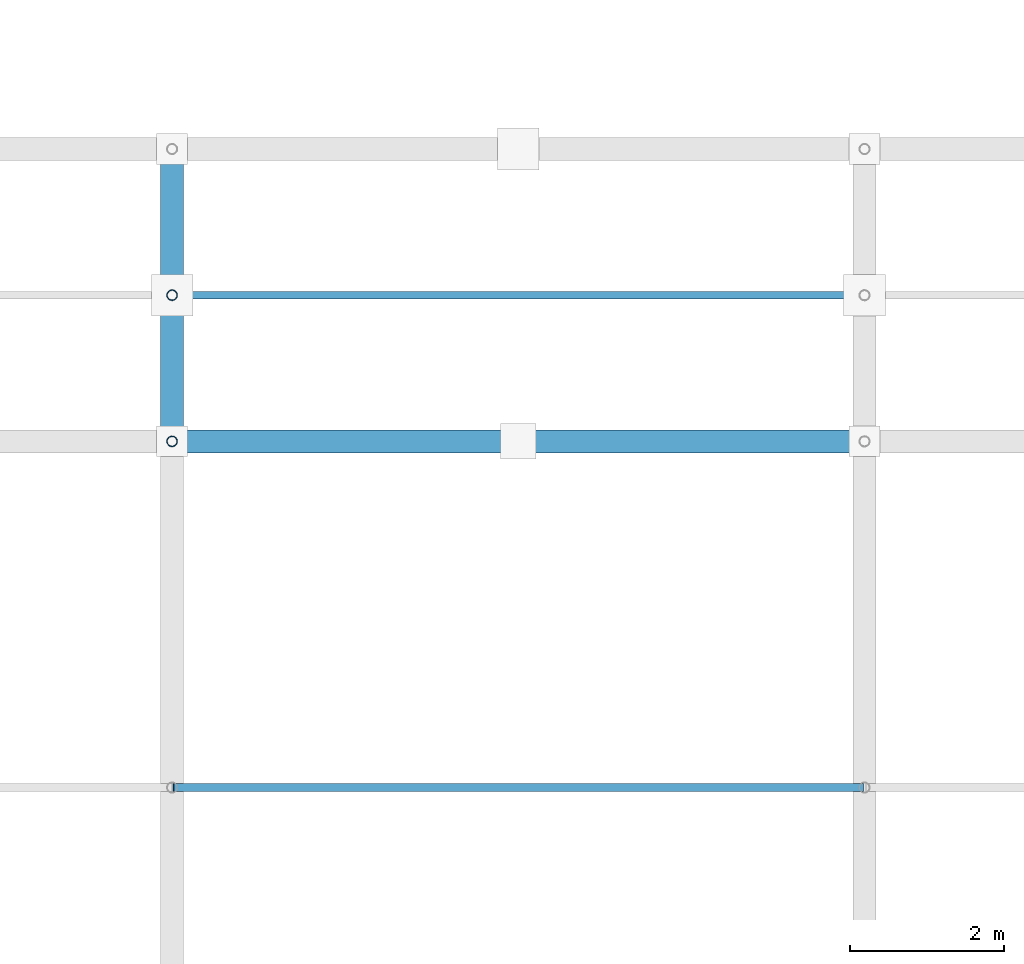
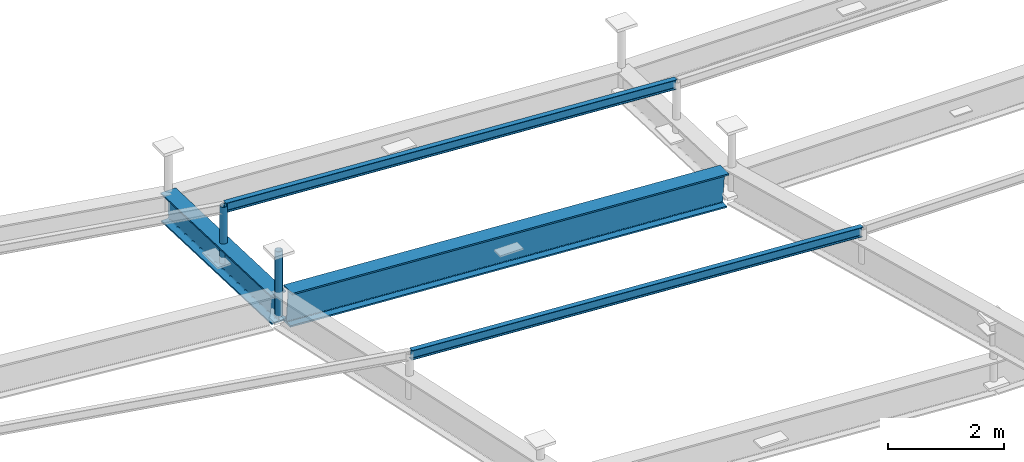
# One storey, part 37 of 80: 4 members, 2 beams.
"""IFC4 building model written with IfcOpenShell, lengths in metres."""

from ifc_helpers import new_model, si_unit, direction, frame, origin, origin_2d, place, context, subcontext, project, spatial, hollow_circle, i_section, extrude, material, material_profile, profile_set, type_object, element, save


model = new_model("IFC4")

# Units and contexts
model_context = context("Model", 3, precision=1e-05, world=origin(), true_north=direction((0.0, 1.0)))
body_context = subcontext(model_context, "Body", "Model", "MODEL_VIEW")
ifc_project = project(units=[si_unit("LENGTHUNIT", "METRE"), si_unit("AREAUNIT", "SQUARE_METRE"), si_unit("VOLUMEUNIT", "CUBIC_METRE"), si_unit("PLANEANGLEUNIT", "RADIAN"), si_unit("MASSUNIT", "GRAM", prefix="KILO")], contexts=[model_context])

# Site, building, storey
site_placement = place(None, origin())
site = spatial("IfcSite", under=ifc_project, at=site_placement, CompositionType="ELEMENT")
building_placement = place(site_placement, origin())
building = spatial("IfcBuilding", under=site, at=building_placement, Name="Barlavento Convention Centre", CompositionType="ELEMENT")
storey_placement = place(building_placement, frame((0.0, 0.0, 29.800048828125)))
storey = spatial("IfcBuildingStorey", under=building, at=storey_placement, Name="RF", CompositionType="ELEMENT", Elevation=29.800048828125)

# Beams
ifc_material_1 = material(Name="Steel S355", Category="steel")
ifc_material_profile_1 = material_profile(ifc_material_1, i_section(OverallWidth=0.300048828125, OverallDepth=0.60009765625, WebThickness=0.015380859375, FlangeThickness=0.030029296875, FilletRadius=0.027099609375, at=origin_2d()), Name="HEB 600")
ifc_profile_set_1 = profile_set([ifc_material_profile_1], Name="Steel S355")
beam_type_1 = type_object("IfcBeamType", Name="STR-BM-CANT-HEB600", PredefinedType="BEAM", material=ifc_profile_set_1)
beam_1_placement = place(storey_placement, frame((18.0, 54.0048828125, -6.3173828125), z_axis=(0.0, 0.999328957614, -0.036628328838), x_axis=(-1.0, 0.0, 0.0)))
element("IfcBeam", 1, at=beam_1_placement, inside=storey, type_object=beam_type_1, Name="Congress roof truss space frame chord", PredefinedType="BEAM", context=body_context, shape_type="SweptSolid", body=[
    extrude(i_section(OverallWidth=0.300048828125, OverallDepth=0.60009765625, WebThickness=0.015380859375, FlangeThickness=0.030029296875, FilletRadius=0.027099609375, at=origin_2d()), origin(), (0.0, 0.0, 1.0), 3.79248046875),
])
ifc_material_2 = material(Name="Steel S460", Category="steel")
ifc_material_profile_2 = material_profile(ifc_material_2, i_section(OverallWidth=0.300048828125, OverallDepth=0.699951171875, WebThickness=0.01708984375, FlangeThickness=0.031982421875, FilletRadius=0.027099609375, at=origin_2d()), Name="HEB 700")
ifc_profile_set_2 = profile_set([ifc_material_profile_2], Name="Steel S460")
beam_type_2 = type_object("IfcBeamType", Name="STR-BM-TRUSS-TOP-HEB700", PredefinedType="BEAM", material=ifc_profile_set_2)
beam_2_placement = place(storey_placement, frame((18.1650390625, 54.0, -6.34033203125), z_axis=(0.998201011928, 0.0, -0.059956148864), x_axis=(0.0, 1.0, 0.0)))
element("IfcBeam", 2, at=beam_2_placement, inside=storey, type_object=beam_type_2, Name="Congress roof truss space frame chord", PredefinedType="BEAM", context=body_context, shape_type="SweptSolid", body=[
    extrude(i_section(OverallWidth=0.300048828125, OverallDepth=0.699951171875, WebThickness=0.01708984375, FlangeThickness=0.031982421875, FilletRadius=0.027099609375, at=origin_2d()), origin(), (0.0, 0.0, 1.0), 8.685546875),
])

# Members
ifc_material_profile_3 = material_profile(ifc_material_1, hollow_circle(Radius=0.06982421875, WallThickness=0.008056640625, at=origin_2d()), Name="CHS 139.7x8.0")
ifc_profile_set_3 = profile_set([ifc_material_profile_3], Name="Steel S355")
member_type_1 = type_object("IfcMemberType", Name="STR-MEM-DIAG-CHS139", PredefinedType="BRACE", material=ifc_profile_set_3)
member_1_placement = place(storey_placement, frame((18.0, 54.0, -6.46728515625), z_axis=(0.0, 0.0, 1.0), x_axis=(1.0, 0.0, 0.0)))
element("IfcMember", 3, at=member_1_placement, inside=storey, type_object=member_type_1, Name="Congress space frame vertical node post TD04", PredefinedType="BRACE", context=body_context, shape_type="SweptSolid", body=[
    extrude(hollow_circle(Radius=0.06982421875, WallThickness=0.008056640625, at=origin_2d()), origin(), (0.0, 0.0, 1.0), 1.369873046875),
])
member_2_placement = place(storey_placement, frame((18.0, 55.89990234375, -6.5068359375), z_axis=(0.0, 0.0, 1.0), x_axis=(1.0, 0.0, 0.0)))
element("IfcMember", 4, at=member_2_placement, inside=storey, type_object=member_type_1, Name="Congress space frame vertical node post TD04", PredefinedType="BRACE", context=body_context, shape_type="SweptSolid", body=[
    extrude(hollow_circle(Radius=0.06982421875, WallThickness=0.008056640625, at=origin_2d()), origin(), (0.0, 0.0, 1.0), 1.19287109375),
])
ifc_material_profile_4 = material_profile(ifc_material_1, i_section(OverallWidth=0.10009765625, OverallDepth=0.199951171875, WebThickness=0.005615234375, FlangeThickness=0.008544921875, FilletRadius=0.011962890625, at=origin_2d()), Name="IPE 200")
ifc_profile_set_4 = profile_set([ifc_material_profile_4], Name="Steel S355")
member_type_2 = type_object("IfcMemberType", Name="STR-MEM-PUR-IPE200", PredefinedType="PURLIN", material=ifc_profile_set_4)
for number, where, z_axis, x_axis, name in (
    (5, (18.02001953125, 49.5, -4.56982421875), (0.998185279809, 0.0, -0.060217498896), (0.0, 1.0, 0.0), "Congress roof intermediate purlin PR01"),
    (6, (18.02001953125, 55.89990234375, -5.35400390625), (0.998186914297, 0.0, -0.060190398947), (0.0, 1.0, 0.0), "Congress roof intermediate purlin PR01"),
):
    element("IfcMember", number, at=place(storey_placement, frame(where, z_axis=z_axis, x_axis=x_axis)), inside=storey, type_object=member_type_2, Name=name, PredefinedType="PURLIN", context=body_context, shape_type="SweptSolid", body=[
        extrude(i_section(OverallWidth=0.10009765625, OverallDepth=0.199951171875, WebThickness=0.005615234375, FlangeThickness=0.008544921875, FilletRadius=0.011962890625, at=origin_2d()), origin(), (0.0, 0.0, 1.0), 8.976318359375),
    ])

save(model, "model.ifc")
